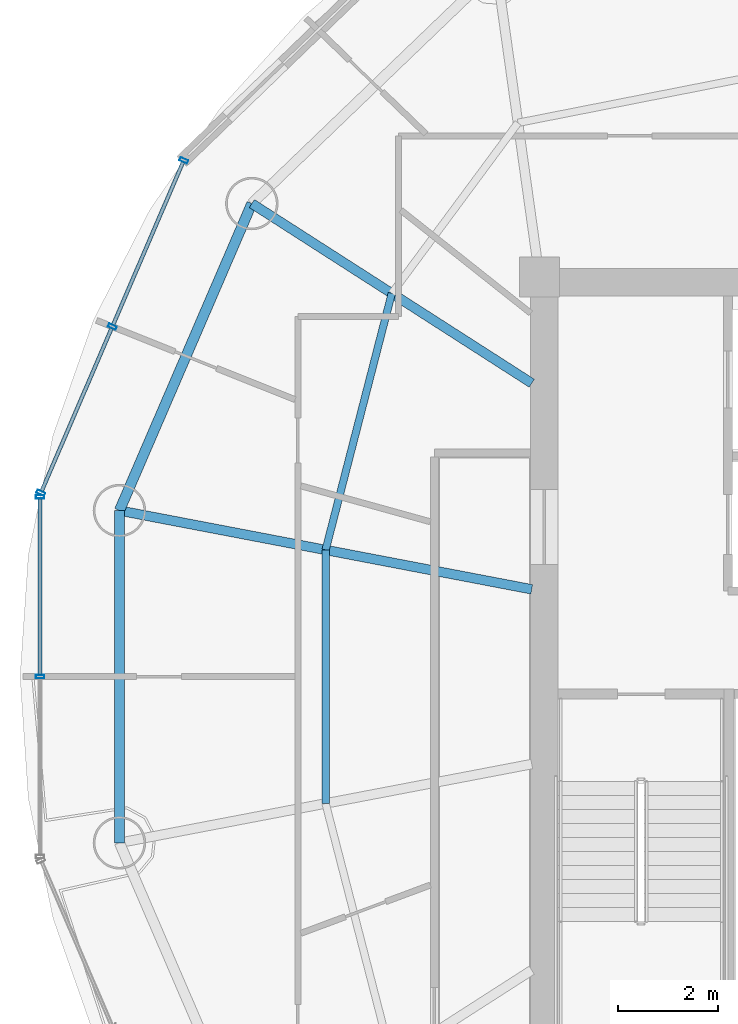
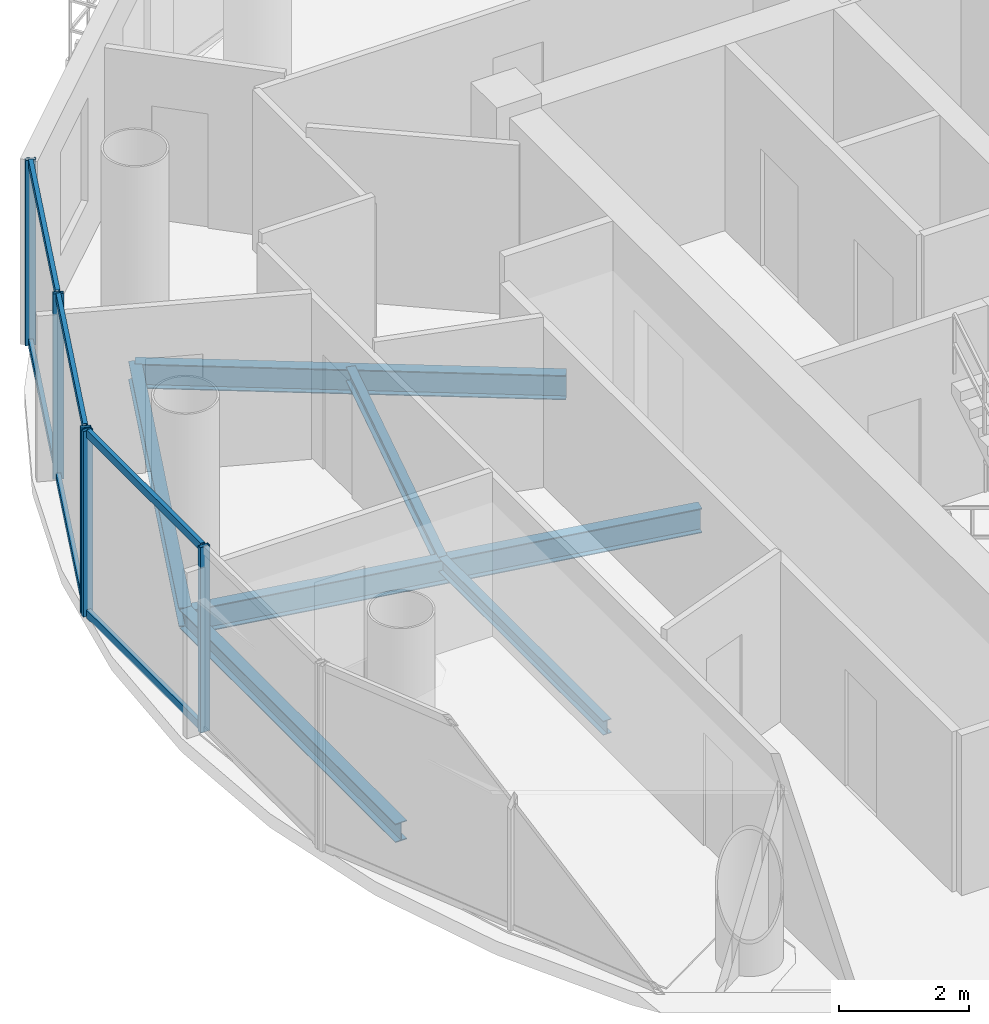
# One storey, part 7 of 21: 11 members, 6 beams, 2 elements without a shape of their own.
"""IFC4 building model written with IfcOpenShell, lengths in metres."""

from ifc_helpers import new_model, si_unit, direction, frame, origin, origin_2d, place, context, subcontext, project, spatial, hollow_rectangle, i_section, extrude, source, transform, mapped, material, material_profile, profile_set, type_object, element, aggregate, save


model = new_model("IFC4")

# Units and contexts
model_context = context("Model", 3, precision=1e-05, world=origin(), true_north=direction((-0.2419218956, 0.970295726276)))
body_context = subcontext(model_context, "Body", "Model", "MODEL_VIEW")
ifc_project = project(units=[si_unit("LENGTHUNIT", "METRE"), si_unit("AREAUNIT", "SQUARE_METRE"), si_unit("VOLUMEUNIT", "CUBIC_METRE"), si_unit("PLANEANGLEUNIT", "RADIAN"), si_unit("MASSUNIT", "GRAM", prefix="KILO")], contexts=[model_context])

# Site, building, storey
site_placement = place(None, origin())
site = spatial("IfcSite", under=ifc_project, at=site_placement, CompositionType="ELEMENT")
building_placement = place(site_placement, origin())
building = spatial("IfcBuilding", under=site, at=building_placement, Name="Cobrevalo Terracotta Tower", CompositionType="ELEMENT")
storey_placement = place(building_placement, frame((0.0, 0.0, 281.949951171875)))
storey = spatial("IfcBuildingStorey", under=building, at=storey_placement, Name="L74", CompositionType="ELEMENT", Elevation=281.949951171875)

# Beams
ifc_material_1 = material(Name="Steel S355", Category="steel")
ifc_material_profile_1 = material_profile(ifc_material_1, i_section(OverallWidth=0.19091796875, OverallDepth=0.4599609375, WebThickness=0.010009765625, FlangeThickness=0.01611328125, at=origin_2d()), Name="W 460x82")
ifc_profile_set_1 = profile_set([ifc_material_profile_1], Name="Steel S355")
beam_type_1 = type_object("IfcBeamType", Name="Structural Beam W 460x82 (Steel S355)", PredefinedType="BEAM", material=ifc_profile_set_1)
beam_1_placement = place(storey_placement, frame((23.241455078125, 36.2724609375, -0.489990234375), z_axis=(0.84157615512, -0.540138477739, 0.0), x_axis=(0.540138477739, 0.84157615512, 0.0)))
element("IfcBeam", 1, at=beam_1_placement, inside=storey, type_object=beam_type_1, Name="L74 radial floor girder 07", PredefinedType="BEAM", context=body_context, shape_type="SweptSolid", body=[
    extrude(i_section(OverallWidth=0.19091796875, OverallDepth=0.4599609375, WebThickness=0.010009765625, FlangeThickness=0.01611328125, at=origin_2d()), origin(), (0.0, 0.0, 1.0), 6.658447265625),
])
beam_2_placement = place(storey_placement, frame((20.591064453125, 30.126220703125, -0.489990234375), z_axis=(0.982234917636, -0.187655446433, 0.0), x_axis=(0.187655446433, 0.982234917636, 0.0)))
element("IfcBeam", 2, at=beam_2_placement, inside=storey, type_object=beam_type_1, Name="L74 radial floor girder 08", PredefinedType="BEAM", context=body_context, shape_type="SweptSolid", body=[
    extrude(i_section(OverallWidth=0.19091796875, OverallDepth=0.4599609375, WebThickness=0.010009765625, FlangeThickness=0.01611328125, at=origin_2d()), origin(), (0.0, 0.0, 1.0), 8.403076171875),
])
ifc_material_profile_2 = material_profile(ifc_material_1, i_section(OverallWidth=0.14794921875, OverallDepth=0.26611328125, WebThickness=0.007568359375, FlangeThickness=0.012939453125, at=origin_2d()), Name="W 250x44.8")
ifc_profile_set_2 = profile_set([ifc_material_profile_2], Name="Steel S355")
beam_type_2 = type_object("IfcBeamType", Name="Structural Joist W 250x44.8 (Steel S355)", PredefinedType="JOIST", material=ifc_profile_set_2)
beam_3_placement = place(storey_placement, frame((26.043212890625, 34.47412109375, -0.39306640625), z_axis=(-0.249816773293, -0.968293126993, 0.0), x_axis=(0.968293126993, -0.249816773293, 0.0)))
element("IfcBeam", 3, at=beam_3_placement, inside=storey, type_object=beam_type_2, Name="L74 circumferential secondary floor joist 07", PredefinedType="JOIST", context=body_context, shape_type="SweptSolid", body=[
    extrude(i_section(OverallWidth=0.14794921875, OverallDepth=0.26611328125, WebThickness=0.007568359375, FlangeThickness=0.012939453125, at=origin_2d()), origin(), (0.0, 0.0, 1.0), 5.3046875),
])
beam_4_placement = place(storey_placement, frame((24.718017578125, 29.337646484375, -0.39306640625), z_axis=(0.0, -1.0, 0.0), x_axis=(1.0, 0.0, 0.0)))
element("IfcBeam", 4, at=beam_4_placement, inside=storey, type_object=beam_type_2, Name="L74 circumferential secondary floor joist 08", PredefinedType="JOIST", context=body_context, shape_type="SweptSolid", body=[
    extrude(i_section(OverallWidth=0.14794921875, OverallDepth=0.26611328125, WebThickness=0.007568359375, FlangeThickness=0.012939453125, at=origin_2d()), origin(), (0.0, 0.0, 1.0), 5.075439453125),
])
ifc_material_profile_3 = material_profile(ifc_material_1, i_section(OverallWidth=0.205078125, OverallDepth=0.35400390625, WebThickness=0.009521484375, FlangeThickness=0.016845703125, at=origin_2d()), Name="W 360x79")
ifc_profile_set_3 = profile_set([ifc_material_profile_3], Name="Steel S355")
beam_type_3 = type_object("IfcBeamType", Name="Structural Spandrel W 360x79 (Steel S355)", PredefinedType="SPANDREL", material=ifc_profile_set_3)
beam_5_placement = place(storey_placement, frame((23.241455078125, 36.2724609375, -0.43701171875), z_axis=(-0.395974127655, -0.918261667624, 0.0), x_axis=(0.918261667624, -0.395974127655, 0.0)))
element("IfcBeam", 5, at=beam_5_placement, inside=storey, type_object=beam_type_3, Name="L74 perimeter ring spandrel 07", PredefinedType="SPANDREL", context=body_context, shape_type="SweptSolid", body=[
    extrude(i_section(OverallWidth=0.205078125, OverallDepth=0.35400390625, WebThickness=0.009521484375, FlangeThickness=0.016845703125, at=origin_2d()), origin(), (0.0, 0.0, 1.0), 6.693359375),
])
beam_6_placement = place(storey_placement, frame((20.591064453125, 30.126220703125, -0.43701171875), z_axis=(0.0, -1.0, 0.0), x_axis=(1.0, 0.0, 0.0)))
element("IfcBeam", 6, at=beam_6_placement, inside=storey, type_object=beam_type_3, Name="L74 perimeter ring spandrel 08", PredefinedType="SPANDREL", context=body_context, shape_type="SweptSolid", body=[
    extrude(i_section(OverallWidth=0.205078125, OverallDepth=0.35400390625, WebThickness=0.009521484375, FlangeThickness=0.016845703125, at=origin_2d()), origin(), (0.0, 0.0, 1.0), 6.652587890625),
])

# Curtain wall, members
ifc_material_2 = material(Name="Anodized aluminium", Category="aluminium")
curtain_wall_type = type_object("IfcCurtainWallType", Name="Upper-tower triple-glazed penthouse curtain wall CW-U3", PredefinedType="NOTDEFINED", material=ifc_material_2)
curtain_wall_1_placement = place(storey_placement, origin())
curtain_wall_1 = element("IfcCurtainWall", 7, at=curtain_wall_1_placement, inside=storey, type_object=curtain_wall_type, Name="L74 curtain wall CW-L74-S07", PredefinedType="NOTDEFINED")
ifc_material_profile_4 = material_profile(ifc_material_2, hollow_rectangle(XDim=0.070068359375, YDim=0.169921875, WallThickness=0.00439453125, at=origin_2d()), Name="CWM 70x170")
ifc_profile_set_4 = profile_set([ifc_material_profile_4], Name="Anodized aluminium")
member_type_1 = type_object("IfcMemberType", Name="Upper tower unitised mullion 70x170", PredefinedType="MULLION", material=ifc_profile_set_4)
shared_shape_1 = source(origin(), body_context, "Body", "SweptSolid", [
    extrude(hollow_rectangle(XDim=0.070068359375, YDim=0.169921875, WallThickness=0.00439453125, at=origin_2d()), origin(), (0.0, 0.0, 1.0), 3.489990234375),
])
member_1_placement = place(storey_placement, frame((21.878662109375, 37.1357421875, 0.0), z_axis=(0.0, 0.0, 1.0), x_axis=(-0.39482403454, -0.91875675875, 0.0)))
member_1 = element("IfcMember", 8, at=member_1_placement, type_object=member_type_1, Name="CW-L74-S07 vertical mullion 01", PredefinedType="MULLION", context=body_context, shape_type="MappedRepresentation", body=[
    mapped(shared_shape_1, transform((0.0, 0.0, 0.0), scale=1.0)),
])
member_2_placement = place(storey_placement, frame((20.4482421875, 33.807373046875, 0.0), z_axis=(0.0, 0.0, 1.0), x_axis=(-0.39482403454, -0.91875675875, 0.0)))
member_2 = element("IfcMember", 9, at=member_2_placement, type_object=member_type_1, Name="CW-L74-S07 vertical mullion 02", PredefinedType="MULLION", context=body_context, shape_type="MappedRepresentation", body=[
    mapped(shared_shape_1, transform((0.0, 0.0, 0.0), scale=1.0)),
])
member_3_placement = place(storey_placement, frame((19.01806640625, 30.47900390625, 0.0), z_axis=(0.0, 0.0, 1.0), x_axis=(-0.39482403454, -0.91875675875, 0.0)))
member_3 = element("IfcMember", 10, at=member_3_placement, type_object=member_type_1, Name="CW-L74-S07 vertical mullion 03", PredefinedType="MULLION", context=body_context, shape_type="MappedRepresentation", body=[
    mapped(shared_shape_1, transform((0.0, 0.0, 0.0), scale=1.0)),
])

curtain_wall_2_placement = place(storey_placement, origin())
curtain_wall_2 = element("IfcCurtainWall", 11, at=curtain_wall_2_placement, inside=storey, type_object=curtain_wall_type, Name="L74 curtain wall CW-L74-S08", PredefinedType="NOTDEFINED")
member_4_placement = place(storey_placement, frame((19.002197265625, 30.40234375, 0.0), z_axis=(0.0, 0.0, 1.0), x_axis=(0.0, -1.0, 0.0)))
member_4 = element("IfcMember", 12, at=member_4_placement, type_object=member_type_1, Name="CW-L74-S08 vertical mullion 01", PredefinedType="MULLION", context=body_context, shape_type="MappedRepresentation", body=[
    mapped(shared_shape_1, transform((0.0, 0.0, 0.0), scale=1.0)),
])
member_5_placement = place(storey_placement, frame((19.002197265625, 26.800048828125, 0.0), z_axis=(0.0, 0.0, 1.0), x_axis=(0.0, -1.0, 0.0)))
member_5 = element("IfcMember", 13, at=member_5_placement, type_object=member_type_1, Name="CW-L74-S08 vertical mullion 02", PredefinedType="MULLION", context=body_context, shape_type="MappedRepresentation", body=[
    mapped(shared_shape_1, transform((0.0, 0.0, 0.0), scale=1.0)),
])

# Member
ifc_material_profile_5 = material_profile(ifc_material_2, hollow_rectangle(XDim=0.074951171875, YDim=0.14990234375, WallThickness=0.00439453125, at=origin_2d()), Name="CWT 75x150")
ifc_profile_set_5 = profile_set([ifc_material_profile_5], Name="Anodized aluminium")
member_type_2 = type_object("IfcMemberType", Name="Tower unitised aluminium transom 75x150", PredefinedType="USERDEFINED", material=ifc_profile_set_5)
shared_shape_2 = source(origin(), body_context, "Body", "SweptSolid", [
    extrude(hollow_rectangle(XDim=0.074951171875, YDim=0.14990234375, WallThickness=0.00439453125, at=origin_2d()), origin(), (0.0, 0.0, 1.0), 3.54248046875),
])
member_6_placement = place(storey_placement, frame((21.86279296875, 37.098876953125, 0.050048828125), z_axis=(-0.394834055841, -0.918752452159, 0.0), x_axis=(0.918752452159, -0.394834055841, 0.0)))
member_6 = element("IfcMember", 14, at=member_6_placement, type_object=member_type_2, Name="CW-L74-S07 transom B01-T1", ObjectType="TRANSOM", PredefinedType="USERDEFINED", context=body_context, shape_type="MappedRepresentation", body=[
    mapped(shared_shape_2, transform((0.0, 0.0, 0.0), scale=1.0)),
])

member_7_placement = place(storey_placement, frame((21.86279296875, 37.098876953125, 3.43994140625), z_axis=(-0.394834055841, -0.918752452159, 0.0), x_axis=(0.918752452159, -0.394834055841, 0.0)))
member_7 = element("IfcMember", 15, at=member_7_placement, type_object=member_type_2, Name="CW-L74-S07 transom B01-T2", ObjectType="TRANSOM", PredefinedType="USERDEFINED", context=body_context, shape_type="MappedRepresentation", body=[
    mapped(shared_shape_2, transform((0.0, 0.0, 0.0), scale=1.0)),
])

shared_shape_3 = source(origin(), body_context, "Body", "SweptSolid", [
    extrude(hollow_rectangle(XDim=0.074951171875, YDim=0.14990234375, WallThickness=0.00439453125, at=origin_2d()), origin(), (0.0, 0.0, 1.0), 3.542724609375),
])
member_8_placement = place(storey_placement, frame((20.4326171875, 33.770751953125, 0.050048828125), z_axis=(-0.394867226589, -0.918738196314, 0.0), x_axis=(0.918738196314, -0.394867226589, 0.0)))
member_8 = element("IfcMember", 16, at=member_8_placement, type_object=member_type_2, Name="CW-L74-S07 transom B02-T1", ObjectType="TRANSOM", PredefinedType="USERDEFINED", context=body_context, shape_type="MappedRepresentation", body=[
    mapped(shared_shape_3, transform((0.0, 0.0, 0.0), scale=1.0)),
])

member_9_placement = place(storey_placement, frame((20.4326171875, 33.770751953125, 3.43994140625), z_axis=(-0.394867226589, -0.918738196314, 0.0), x_axis=(0.918738196314, -0.394867226589, 0.0)))
member_9 = element("IfcMember", 17, at=member_9_placement, type_object=member_type_2, Name="CW-L74-S07 transom B02-T2", ObjectType="TRANSOM", PredefinedType="USERDEFINED", context=body_context, shape_type="MappedRepresentation", body=[
    mapped(shared_shape_3, transform((0.0, 0.0, 0.0), scale=1.0)),
])

aggregate(curtain_wall_1, [member_1, member_2, member_3, member_6, member_7, member_8, member_9])

shared_shape_4 = source(origin(), body_context, "Body", "SweptSolid", [
    extrude(hollow_rectangle(XDim=0.074951171875, YDim=0.14990234375, WallThickness=0.00439453125, at=origin_2d()), origin(), (0.0, 0.0, 1.0), 3.522216796875),
])
member_10_placement = place(storey_placement, frame((19.002197265625, 30.3623046875, 0.050048828125), z_axis=(0.0, -1.0, 0.0), x_axis=(1.0, 0.0, 0.0)))
member_10 = element("IfcMember", 18, at=member_10_placement, type_object=member_type_2, Name="CW-L74-S08 transom B01-T1", ObjectType="TRANSOM", PredefinedType="USERDEFINED", context=body_context, shape_type="MappedRepresentation", body=[
    mapped(shared_shape_4, transform((0.0, 0.0, 0.0), scale=1.0)),
])

member_11_placement = place(storey_placement, frame((19.002197265625, 30.3623046875, 3.43994140625), z_axis=(0.0, -1.0, 0.0), x_axis=(1.0, 0.0, 0.0)))
member_11 = element("IfcMember", 19, at=member_11_placement, type_object=member_type_2, Name="CW-L74-S08 transom B01-T2", ObjectType="TRANSOM", PredefinedType="USERDEFINED", context=body_context, shape_type="MappedRepresentation", body=[
    mapped(shared_shape_4, transform((0.0, 0.0, 0.0), scale=1.0)),
])

aggregate(curtain_wall_2, [member_4, member_5, member_10, member_11])

save(model, "model.ifc")
